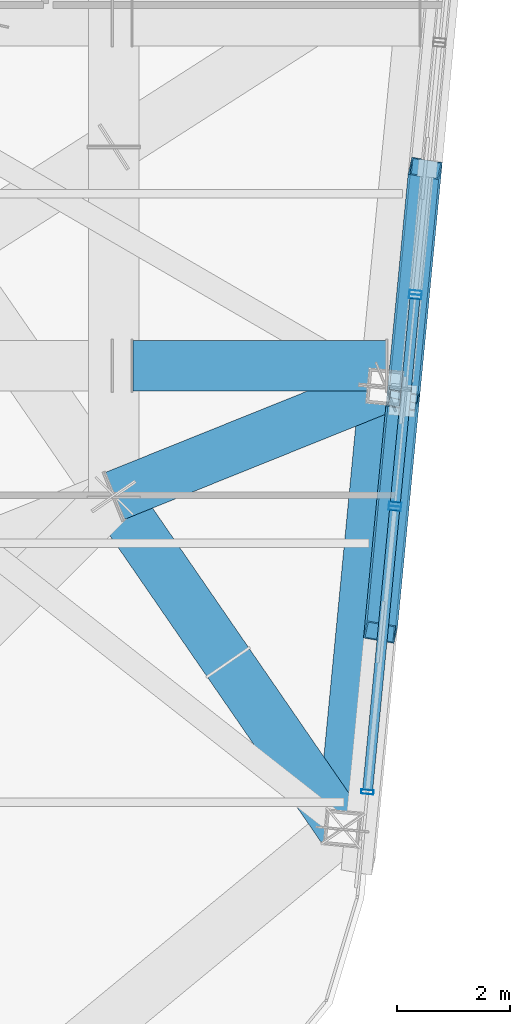
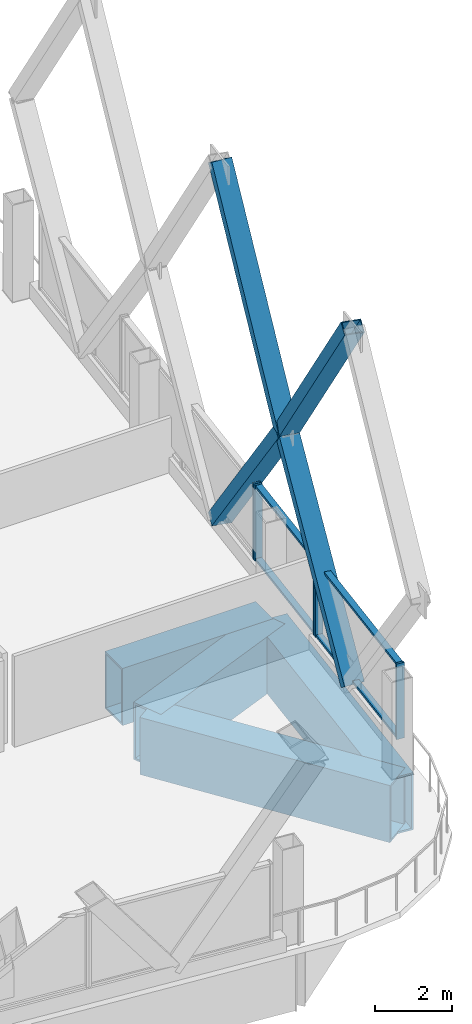
# One storey, part 16 of 31: 13 members, 4 beams, 3 elements without a shape of their own.
"""IFC4 building model written with IfcOpenShell, lengths in metres."""

from ifc_helpers import new_model, si_unit, direction, frame, origin, origin_2d, place, context, subcontext, project, spatial, hollow_rectangle, extrude, material, layer, layer_set, material_profile, profile_set, type_object, element, aggregate, save


model = new_model("IFC4")

# Units and contexts
model_context = context("Model", 3, precision=1e-05, world=origin(), true_north=direction((0.0, 1.0)))
body_context = subcontext(model_context, "Body", "Model", "MODEL_VIEW")
ifc_project = project(units=[si_unit("LENGTHUNIT", "METRE"), si_unit("AREAUNIT", "SQUARE_METRE"), si_unit("VOLUMEUNIT", "CUBIC_METRE"), si_unit("PLANEANGLEUNIT", "RADIAN"), si_unit("MASSUNIT", "GRAM", prefix="KILO")], contexts=[model_context])

# Site, building, storey
site_placement = place(None, origin())
site = spatial("IfcSite", under=ifc_project, at=site_placement, CompositionType="ELEMENT")
building_placement = place(site_placement, origin())
building = spatial("IfcBuilding", under=site, at=building_placement, Name="Qhalaya Broadcast Tower", CompositionType="ELEMENT")
storey_placement = place(building_placement, frame((0.0, 0.0, 242.85009765625)))
storey = spatial("IfcBuildingStorey", under=building, at=storey_placement, Name="L71", CompositionType="ELEMENT", Elevation=242.85009765625)

# Beams
ifc_material_1 = material(Name="Structural Steel ASTM A572 Grade 50", Category="steel")
ifc_material_profile_1 = material_profile(ifc_material_1, hollow_rectangle(XDim=0.89990234375, YDim=1.800048828125, WallThickness=0.06005859375, at=origin_2d()), Name="BOX 900x1800x60")
ifc_profile_set_1 = profile_set([ifc_material_profile_1], Name="Structural Steel ASTM A572 Grade 50")
beam_type = type_object("IfcBeamType", Name="Block Cantilever Transfer Box Girder TG1", PredefinedType="USERDEFINED", material=ifc_profile_set_1)
beam_1_placement = place(storey_placement, frame((19.82861328125, -16.962890625, -1.090087890625), z_axis=(0.095837184179, 0.995397023367, 0.0), x_axis=(-0.995397023367, 0.095837184179, 0.0)))
element("IfcBeam", 1, at=beam_1_placement, inside=storey, type_object=beam_type, Name="L71 TG1 L71-SPR-05", ObjectType="GIRDER", PredefinedType="USERDEFINED", context=body_context, shape_type="SweptSolid", body=[
    extrude(hollow_rectangle(XDim=0.89990234375, YDim=1.800048828125, WallThickness=0.06005859375, at=origin_2d()), origin(), (0.0, 0.0, 1.0), 7.866455078125),
])
beam_2_placement = place(storey_placement, frame((15.77001953125, -11.070068359375, -1.090087890625), z_axis=(0.56721936055, -0.823566753225, 0.0), x_axis=(0.823566753225, 0.56721936055, 0.0)))
element("IfcBeam", 2, at=beam_2_placement, inside=storey, type_object=beam_type, Name="L71 Cantilever Transfer Box Girder 05", ObjectType="GIRDER", PredefinedType="USERDEFINED", context=body_context, shape_type="SweptSolid", body=[
    extrude(hollow_rectangle(XDim=0.89990234375, YDim=1.800048828125, WallThickness=0.06005859375, at=origin_2d()), origin(), (0.0, 0.0, 1.0), 7.1552734375),
])
beam_3_placement = place(storey_placement, frame((15.77001953125, -11.070068359375, -1.090087890625), z_axis=(0.927643517938, 0.373466870858, 0.0), x_axis=(-0.373466870858, 0.927643517938, 0.0)))
element("IfcBeam", 3, at=beam_3_placement, inside=storey, type_object=beam_type, Name="L71 Cantilever Transfer Box Girder 06", ObjectType="GIRDER", PredefinedType="USERDEFINED", context=body_context, shape_type="SweptSolid", body=[
    extrude(hollow_rectangle(XDim=0.89990234375, YDim=1.800048828125, WallThickness=0.06005859375, at=origin_2d()), origin(), (0.0, 0.0, 1.0), 5.18798828125),
])
beam_4_placement = place(storey_placement, frame((16.110107421875, -8.75, -1.090087890625), z_axis=(1.0, 0.0, 0.0), x_axis=(0.0, 1.0, 0.0)))
element("IfcBeam", 4, at=beam_4_placement, inside=storey, type_object=beam_type, Name="L71 TG1 L71-PGYE1-OV1", ObjectType="GIRDER", PredefinedType="USERDEFINED", context=body_context, shape_type="SweptSolid", body=[
    extrude(hollow_rectangle(XDim=0.89990234375, YDim=1.800048828125, WallThickness=0.06005859375, at=origin_2d()), origin(), (0.0, 0.0, 1.0), 4.489013671875),
])

# Members
ifc_material_profile_2 = material_profile(ifc_material_1, hollow_rectangle(XDim=0.3798828125, YDim=0.550048828125, WallThickness=0.02490234375, at=origin_2d()), Name="BOX 380x550x25")
ifc_profile_set_2 = profile_set([ifc_material_profile_2], Name="Structural Steel ASTM A572 Grade 50")
member_type_1 = type_object("IfcMemberType", Name="Exoskeleton Diamond Diagonal Upper EX4", PredefinedType="BRACE", material=ifc_profile_set_2)
member_1_placement = place(storey_placement, frame((20.505615234375, -13.478515625, 0.35986328125), z_axis=(0.058266125563, 0.605364209609, 0.793813096602), x_axis=(-0.171107534, -0.777341068105, 0.605361937725)))
element("IfcMember", 5, at=member_1_placement, inside=storey, type_object=member_type_1, Name="B6 Exoskeleton Diamond Brace E1-D2", PredefinedType="BRACE", context=body_context, shape_type="SweptSolid", body=[
    extrude(hollow_rectangle(XDim=0.3798828125, YDim=0.550048828125, WallThickness=0.02490234375, at=origin_2d()), origin(), (0.0, 0.0, 1.0), 6.79638671875),
])
member_2_placement = place(storey_placement, frame((20.901611328125, -9.3642578125, 5.7548828125), z_axis=(-0.055127452373, -0.572754517502, 0.817871155303), x_axis=(0.17340185175, 0.801178209115, 0.572752368)))
element("IfcMember", 6, at=member_2_placement, inside=storey, type_object=member_type_1, Name="B6 Exoskeleton Diamond Brace E1-D4", PredefinedType="BRACE", context=body_context, shape_type="SweptSolid", body=[
    extrude(hollow_rectangle(XDim=0.3798828125, YDim=0.550048828125, WallThickness=0.02490234375, at=origin_2d()), origin(), (0.0, 0.0, 1.0), 7.183349609375),
])
member_3_placement = place(storey_placement, frame((21.2978515625, -5.25, 0.35986328125), z_axis=(-0.058301925892, -0.605362942159, 0.793811434597), x_axis=(0.171153078973, 0.777329359739, 0.60536409709)))
element("IfcMember", 7, at=member_3_placement, inside=storey, type_object=member_type_1, Name="B6 Exoskeleton Diamond Brace E2-D1", PredefinedType="BRACE", context=body_context, shape_type="SweptSolid", body=[
    extrude(hollow_rectangle(XDim=0.3798828125, YDim=0.550048828125, WallThickness=0.02490234375, at=origin_2d()), origin(), (0.0, 0.0, 1.0), 6.79638671875),
])
member_4_placement = place(storey_placement, frame((20.901611328125, -9.3642578125, 5.7548828125), z_axis=(0.055161336321, 0.572753444041, 0.817869622443), x_axis=(-0.17344881055, -0.801166493771, 0.572754536758)))
element("IfcMember", 8, at=member_4_placement, inside=storey, type_object=member_type_1, Name="B6 Exoskeleton Diamond Brace E2-D3", PredefinedType="BRACE", context=body_context, shape_type="SweptSolid", body=[
    extrude(hollow_rectangle(XDim=0.3798828125, YDim=0.550048828125, WallThickness=0.02490234375, at=origin_2d()), origin(), (0.0, 0.0, 1.0), 7.183349609375),
])

# Curtain wall, members
ifc_material_2 = material(Name="Fired Architectural Terracotta", Category="masonry")
ifc_layer_1 = layer(ifc_material_2, 0.219970703125, Name="Fired Architectural Terracotta")
ifc_layer_set_1 = layer_set([ifc_layer_1], Name="Fired Architectural Terracotta")
curtain_wall_type_1 = type_object("IfcCurtainWallType", Name="Block-Cap Unitised Terracotta Spandrel Wall CW-07", PredefinedType="NOTDEFINED", material=ifc_layer_set_1)
curtain_wall_1_placement = place(storey_placement, origin())
curtain_wall_1 = element("IfcCurtainWall", 9, at=curtain_wall_1_placement, inside=storey, type_object=curtain_wall_type_1, Name="L71 Unitised Curtain Wall L71-CW-E1", PredefinedType="NOTDEFINED")
ifc_material_3 = material(Name="Anodised Aluminium 6063-T6", Category="aluminium")
ifc_material_profile_3 = material_profile(ifc_material_3, hollow_rectangle(XDim=0.074951171875, YDim=0.219970703125, WallThickness=0.00390625, at=origin_2d()), Name="ALU-MUL 75x220x4")
ifc_profile_set_3 = profile_set([ifc_material_profile_3], Name="Anodised Aluminium 6063-T6")
member_type_2 = type_object("IfcMemberType", Name="Unitised Curtain-Wall Mullion M01", PredefinedType="MULLION", material=ifc_profile_set_3)
member_5_placement = place(storey_placement, frame((20.272705078125, -16.315185546875, 0.47998046875), z_axis=(0.0, 0.0, 1.0), x_axis=(0.095847607498, 0.995396019751, 0.0)))
member_5 = element("IfcMember", 10, at=member_5_placement, type_object=member_type_2, Name="CW-07 mullion 1", PredefinedType="MULLION", context=body_context, shape_type="SweptSolid", body=[
    extrude(hollow_rectangle(XDim=0.074951171875, YDim=0.219970703125, WallThickness=0.00390625, at=origin_2d()), origin(), (0.0, 0.0, 1.0), 2.3798828125),
])
member_6_placement = place(storey_placement, frame((20.757080078125, -11.283447265625, 0.47998046875), z_axis=(0.0, 0.0, 1.0), x_axis=(0.095847607498, 0.995396019751, 0.0)))
member_6 = element("IfcMember", 11, at=member_6_placement, type_object=member_type_2, Name="CW-07 mullion 2", PredefinedType="MULLION", context=body_context, shape_type="SweptSolid", body=[
    extrude(hollow_rectangle(XDim=0.074951171875, YDim=0.219970703125, WallThickness=0.00390625, at=origin_2d()), origin(), (0.0, 0.0, 1.0), 2.3798828125),
])

ifc_material_4 = material(Name="Solar-Control Low-E Triple Glazing", Category="glass")
ifc_layer_2 = layer(ifc_material_4, 0.219970703125, Name="Solar-Control Low-E Triple Glazing")
ifc_layer_set_2 = layer_set([ifc_layer_2], Name="Solar-Control Low-E Triple Glazing")
curtain_wall_type_2 = type_object("IfcCurtainWallType", Name="High-Altitude Upper-Shaft Triple Low-E Curtain Wall CW-04", PredefinedType="NOTDEFINED", material=ifc_layer_set_2)
curtain_wall_2_placement = place(storey_placement, origin())
curtain_wall_2 = element("IfcCurtainWall", 12, at=curtain_wall_2_placement, inside=storey, type_object=curtain_wall_type_2, Name="L71 Unitised Curtain Wall L71-CW-E2", PredefinedType="NOTDEFINED")
member_7_placement = place(storey_placement, frame((20.764404296875, -11.208740234375, 0.47998046875), z_axis=(0.0, 0.0, 1.0), x_axis=(0.095839673292, 0.995396783712, 0.0)))
member_7 = element("IfcMember", 13, at=member_7_placement, type_object=member_type_2, Name="CW-04 mullion 1", PredefinedType="MULLION", context=body_context, shape_type="SweptSolid", body=[
    extrude(hollow_rectangle(XDim=0.074951171875, YDim=0.219970703125, WallThickness=0.00390625, at=origin_2d()), origin(), (0.0, 0.0, 1.0), 2.3798828125),
])
member_8_placement = place(storey_placement, frame((21.11865234375, -7.52783203125, 0.47998046875), z_axis=(0.0, 0.0, 1.0), x_axis=(0.095839673292, 0.995396783712, 0.0)))
member_8 = element("IfcMember", 14, at=member_8_placement, type_object=member_type_2, Name="CW-04 mullion 2", PredefinedType="MULLION", context=body_context, shape_type="SweptSolid", body=[
    extrude(hollow_rectangle(XDim=0.074951171875, YDim=0.219970703125, WallThickness=0.00390625, at=origin_2d()), origin(), (0.0, 0.0, 1.0), 2.3798828125),
])

# Curtain wall, member
curtain_wall_3_placement = place(storey_placement, origin())
curtain_wall_3 = element("IfcCurtainWall", 15, at=curtain_wall_3_placement, inside=storey, type_object=curtain_wall_type_1, Name="L71 Unitised Curtain Wall L71-CW-E3", PredefinedType="NOTDEFINED")
member_9_placement = place(storey_placement, frame((21.1259765625, -7.453125, 0.47998046875), z_axis=(0.0, 0.0, 1.0), x_axis=(0.09586123001, 0.995394707933, 0.0)))
member_9 = element("IfcMember", 16, at=member_9_placement, type_object=member_type_2, Name="CW-07 mullion 1", PredefinedType="MULLION", context=body_context, shape_type="SweptSolid", body=[
    extrude(hollow_rectangle(XDim=0.074951171875, YDim=0.219970703125, WallThickness=0.00390625, at=origin_2d()), origin(), (0.0, 0.0, 1.0), 2.3798828125),
])
aggregate(curtain_wall_3, [member_9])

# Member
ifc_material_profile_4 = material_profile(ifc_material_3, hollow_rectangle(XDim=0.074951171875, YDim=0.179931640625, WallThickness=0.00390625, at=origin_2d()), Name="ALU-TRN 75x180x4")
ifc_profile_set_4 = profile_set([ifc_material_profile_4], Name="Anodised Aluminium 6063-T6")
member_type_3 = type_object("IfcMemberType", Name="Unitised Curtain-Wall Transom T01", PredefinedType="USERDEFINED", material=ifc_profile_set_4)
member_10_placement = place(storey_placement, frame((20.276123046875, -16.27783203125, 0.517333984375), z_axis=(0.095838509296, 0.995396895784, 0.0), x_axis=(0.0, 0.0, 1.0)))
member_10 = element("IfcMember", 17, at=member_10_placement, type_object=member_type_3, Name="CW-07 transom 1.1", ObjectType="TRANSOM", PredefinedType="USERDEFINED", context=body_context, shape_type="SweptSolid", body=[
    extrude(hollow_rectangle(XDim=0.074951171875, YDim=0.179931640625, WallThickness=0.00390625, at=origin_2d()), origin(), (0.0, 0.0, 1.0), 4.980224609375),
])

member_11_placement = place(storey_placement, frame((20.276123046875, -16.27783203125, 2.822509765625), z_axis=(0.095838509296, 0.995396895784, 0.0), x_axis=(0.0, 0.0, 1.0)))
member_11 = element("IfcMember", 18, at=member_11_placement, type_object=member_type_3, Name="CW-07 transom 1.2", ObjectType="TRANSOM", PredefinedType="USERDEFINED", context=body_context, shape_type="SweptSolid", body=[
    extrude(hollow_rectangle(XDim=0.074951171875, YDim=0.179931640625, WallThickness=0.00390625, at=origin_2d()), origin(), (0.0, 0.0, 1.0), 4.980224609375),
])

aggregate(curtain_wall_1, [member_5, member_6, member_10, member_11])

member_12_placement = place(storey_placement, frame((20.767822265625, -11.17138671875, 0.517333984375), z_axis=(0.095820260228, 0.995398652666, 0.0), x_axis=(0.0, 0.0, 1.0)))
member_12 = element("IfcMember", 19, at=member_12_placement, type_object=member_type_3, Name="CW-04 transom 1.1", ObjectType="TRANSOM", PredefinedType="USERDEFINED", context=body_context, shape_type="SweptSolid", body=[
    extrude(hollow_rectangle(XDim=0.074951171875, YDim=0.179931640625, WallThickness=0.00390625, at=origin_2d()), origin(), (0.0, 0.0, 1.0), 3.623046875),
])

member_13_placement = place(storey_placement, frame((20.767822265625, -11.17138671875, 2.822509765625), z_axis=(0.095820260228, 0.995398652666, 0.0), x_axis=(0.0, 0.0, 1.0)))
member_13 = element("IfcMember", 20, at=member_13_placement, type_object=member_type_3, Name="CW-04 transom 1.2", ObjectType="TRANSOM", PredefinedType="USERDEFINED", context=body_context, shape_type="SweptSolid", body=[
    extrude(hollow_rectangle(XDim=0.074951171875, YDim=0.179931640625, WallThickness=0.00390625, at=origin_2d()), origin(), (0.0, 0.0, 1.0), 3.623046875),
])

aggregate(curtain_wall_2, [member_7, member_8, member_12, member_13])

save(model, "model.ifc")
